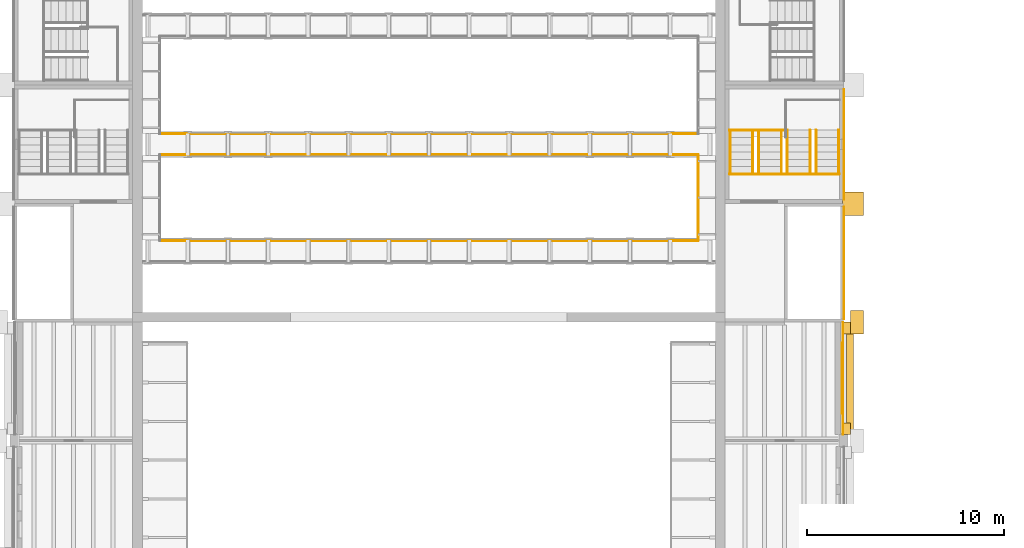
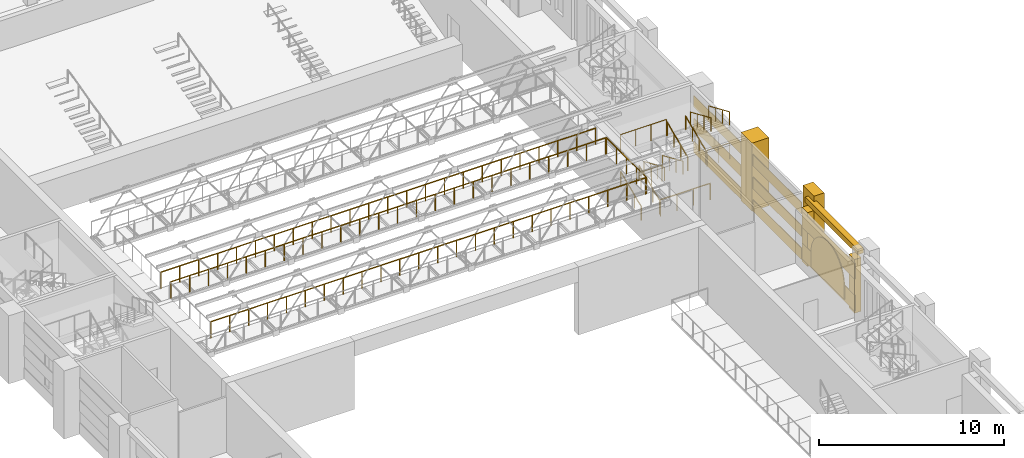
# One storey, part 58 of 70: 16 railings, 14 coverings.
"""IFC4 building model written with IfcOpenShell, lengths in metres."""

from ifc_helpers import new_model, si_unit, direction, frame, origin, origin_2d, place, context, subcontext, project, spatial, polyline, rectangle, circle, outline, extrude, material, layer, layer_set, type_object, element, save


model = new_model("IFC4")

# Units and contexts
model_context = context("Model", 3, precision=1e-05, world=origin(), true_north=direction((0.0, 1.0)))
body_context = subcontext(model_context, "Body", "Model", "MODEL_VIEW")
ifc_project = project(units=[si_unit("LENGTHUNIT", "METRE"), si_unit("AREAUNIT", "SQUARE_METRE"), si_unit("VOLUMEUNIT", "CUBIC_METRE"), si_unit("PLANEANGLEUNIT", "RADIAN"), si_unit("MASSUNIT", "GRAM", prefix="KILO")], contexts=[model_context])

# Site, building, storey
site_placement = place(None, origin())
site = spatial("IfcSite", under=ifc_project, at=site_placement, CompositionType="ELEMENT")
building_placement = place(site_placement, origin())
building = spatial("IfcBuilding", under=site, at=building_placement, Name="Saffron Lane Theatres", CompositionType="ELEMENT")
storey_placement = place(building_placement, frame((0.0, 0.0, 12.0)))
storey = spatial("IfcBuildingStorey", under=building, at=storey_placement, Name="L02", CompositionType="ELEMENT", Elevation=12.0)

# Coverings
ifc_material_1 = material(Name="Masonry pale clay brick", Category="masonry")
ifc_layer_1 = layer(ifc_material_1, 0.050048828125)
ifc_layer_set_1 = layer_set([ifc_layer_1], Name="Masonry pale clay brick")
covering_type_1 = type_object("IfcCoveringType", Name="EX-ARCH PANEL BRICK 50", PredefinedType="CLADDING", material=ifc_layer_set_1)
covering_1_placement = place(storey_placement, frame((53.89990234375, 52.949951171875, 1.199951171875), z_axis=(-1.0, 0.0, 0.0), x_axis=(0.0, 0.0, -1.0)))
element("IfcCovering", 1, at=covering_1_placement, inside=storey, type_object=covering_type_1, Name="Blind arch panel 17", PredefinedType="CLADDING", context=body_context, shape_type="SweptSolid", body=[
    extrude(outline(polyline([(0.0, 0.0), (0.89990234375, 0.0), (0.89990234375, 3.599853515625), (0.0, 3.599853515625), (-0.28515625, 3.577880859375), (-0.56201171875, 3.512939453125), (-0.8271484375, 3.405029296875), (-1.071044921875, 3.258056640625), (-1.291015625, 3.075927734375), (-1.47900390625, 2.862060546875), (-1.633056640625, 2.620849609375), (-1.7470703125, 2.35986328125), (-1.820068359375, 2.083984375), (-1.85009765625, 1.800048828125), (-1.820068359375, 1.515869140625), (-1.7470703125, 1.239990234375), (-1.633056640625, 0.97900390625), (-1.47900390625, 0.738037109375), (-1.291015625, 0.52392578125), (-1.071044921875, 0.342041015625), (-0.8271484375, 0.195068359375), (-0.56201171875, 0.0869140625), (-0.28515625, 0.02197265625), (0.0, 0.0)])), origin(), (0.0, 0.0, -1.0), 0.050048828125),
])
ifc_material_2 = material(Name="Masonry sandstone", Category="masonry")
ifc_layer_2 = layer(ifc_material_2, 0.0400390625)
ifc_layer_set_2 = layer_set([ifc_layer_2], Name="Masonry sandstone")
covering_type_2 = type_object("IfcCoveringType", Name="EX-BANDING COURSE SANDSTONE 40", PredefinedType="CLADDING", material=ifc_layer_set_2)
for number, where, z_axis, x_axis, name in (
    (2, (54.02001953125, 63.0, 0.0), (0.0, 0.0, 1.0), (0.0, 1.0, 0.0), "Banding course L02"),
    (3, (54.02001953125, 63.0, 1.5), (0.0, 0.0, 1.0), (0.0, 1.0, 0.0), "Banding course L02"),
    (4, (54.02001953125, 63.0, 3.0), (0.0, 0.0, 1.0), (0.0, 1.0, 0.0), "Banding course L02"),
):
    element("IfcCovering", number, at=place(storey_placement, frame(where, z_axis=z_axis, x_axis=x_axis)), inside=storey, type_object=covering_type_2, Name=name, PredefinedType="CLADDING", context=body_context, shape_type="SweptSolid", body=[
        extrude(rectangle(XDim=5.60009765625, YDim=0.0400390625, at=origin_2d()), origin(), (0.0, 0.0, 1.0), 0.75),
    ])
for number, where, z_axis, x_axis, name in (
    (5, (54.02001953125, 57.0, 0.0), (0.0, 0.0, 1.0), (0.0, 1.0, 0.0), "Banding course L02"),
    (6, (54.02001953125, 57.0, 1.5), (0.0, 0.0, 1.0), (0.0, 1.0, 0.0), "Banding course L02"),
    (7, (54.02001953125, 57.0, 3.0), (0.0, 0.0, 1.0), (0.0, 1.0, 0.0), "Banding course L02"),
):
    element("IfcCovering", number, at=place(storey_placement, frame(where, z_axis=z_axis, x_axis=x_axis)), inside=storey, type_object=covering_type_2, Name=name, PredefinedType="CLADDING", context=body_context, shape_type="SweptSolid", body=[
        extrude(rectangle(XDim=5.699951171875, YDim=0.0400390625, at=origin_2d()), origin(), (0.0, 0.0, 1.0), 0.75),
    ])
ifc_material_3 = material(Name="Face brick cladding, pale buff", Category="masonry")
ifc_layer_3 = layer(ifc_material_3, 0.0400390625)
ifc_layer_set_3 = layer_set([ifc_layer_3], Name="Face brick cladding, pale buff")
covering_type_3 = type_object("IfcCoveringType", Name="EX-FACE BRICK CLADDING PALE BUFF 40", PredefinedType="CLADDING", material=ifc_layer_set_3)
for number, where, z_axis, x_axis, name in (
    (8, (53.969970703125, 51.14990234375, 0.14990234375), (0.0, 0.0, 1.0), (0.0, -1.0, 0.0), "Cladding course L02"),
    (9, (53.969970703125, 51.14990234375, 2.25), (0.0, 0.0, 1.0), (0.0, -1.0, 0.0), "Cladding course L02"),
):
    element("IfcCovering", number, at=place(storey_placement, frame(where, z_axis=z_axis, x_axis=x_axis)), inside=storey, type_object=covering_type_3, Name=name, PredefinedType="CLADDING", context=body_context, shape_type="SweptSolid", body=[
        extrude(rectangle(XDim=5.699951171875, YDim=0.0400390625, at=origin_2d()), origin(), (0.0, 0.0, 1.0), 1.050048828125),
    ])
ifc_material_4 = material(Name="Masonry sandstone", Category="masonry")
ifc_layer_4 = layer(ifc_material_4, 1.199951171875)
ifc_layer_set_4 = layer_set([ifc_layer_4], Name="Masonry sandstone")
covering_type_4 = type_object("IfcCoveringType", Name="EX-FLANK BUTTRESS PIER SANDSTONE 1200", PredefinedType="CLADDING", material=ifc_layer_set_4)
covering_2_placement = place(storey_placement, frame((54.675048828125, 54.0, 0.0), z_axis=(0.0, 0.0, 1.0), x_axis=(0.0, 1.0, 0.0)))
element("IfcCovering", 10, at=covering_2_placement, inside=storey, type_object=covering_type_4, Name="Flank buttress east L02", PredefinedType="CLADDING", context=body_context, shape_type="SweptSolid", body=[
    extrude(rectangle(XDim=1.199951171875, YDim=0.64990234375, at=origin_2d()), origin(), (0.0, 0.0, 1.0), 4.5),
])
covering_3_placement = place(storey_placement, frame((54.47509765625, 60.0, 0.0), z_axis=(0.0, 0.0, 1.0), x_axis=(0.0, 1.0, 0.0)))
element("IfcCovering", 11, at=covering_3_placement, inside=storey, type_object=covering_type_4, Name="Flank buttress east L02", PredefinedType="CLADDING", context=body_context, shape_type="SweptSolid", body=[
    extrude(rectangle(XDim=1.199951171875, YDim=1.050048828125, at=origin_2d()), origin(), (0.0, 0.0, 1.0), 4.5),
])
ifc_material_5 = material(Name="Masonry sandstone", Category="masonry")
ifc_layer_5 = layer(ifc_material_5, 0.39990234375)
ifc_layer_set_5 = layer_set([ifc_layer_5], Name="Masonry sandstone")
covering_type_5 = type_object("IfcCoveringType", Name="EX-PILASTER PIER SANDSTONE 400", PredefinedType="CLADDING", material=ifc_layer_set_5)
for number, where, z_axis, x_axis, name in (
    (12, (54.14990234375, 53.699951171875, 0.0), (0.0, 0.0, 1.0), (0.0, -1.0, 0.0), "Pilaster pier L02"),
    (13, (54.14990234375, 48.60009765625, 0.0), (0.0, 0.0, 1.0), (0.0, -1.0, 0.0), "Pilaster pier L02"),
):
    element("IfcCovering", number, at=place(storey_placement, frame(where, z_axis=z_axis, x_axis=x_axis)), inside=storey, type_object=covering_type_5, Name=name, PredefinedType="CLADDING", context=body_context, shape_type="SweptSolid", body=[
        extrude(rectangle(XDim=0.60009765625, YDim=0.39990234375, at=origin_2d()), origin(), (0.0, 0.0, 1.0), 3.550048828125),
    ])
ifc_material_6 = material(Name="Masonry sandstone", Category="masonry")
ifc_layer_6 = layer(ifc_material_6, 0.300048828125)
ifc_layer_set_6 = layer_set([ifc_layer_6], Name="Masonry sandstone")
covering_type_6 = type_object("IfcCoveringType", Name="EX-STRING COURSE SANDSTONE 350", PredefinedType="CLADDING", material=ifc_layer_set_6)
covering_4_placement = place(storey_placement, frame((54.324951171875, 51.14990234375, 3.800048828125), z_axis=(0.0, 0.0, 1.0), x_axis=(0.0, -1.0, 0.0)))
element("IfcCovering", 14, at=covering_4_placement, inside=storey, type_object=covering_type_6, Name="String course L02", PredefinedType="CLADDING", context=body_context, shape_type="SweptSolid", body=[
    extrude(rectangle(XDim=5.699951171875, YDim=0.35009765625, at=origin_2d()), origin(), (0.0, 0.0, 1.0), 0.35009765625),
])

# Railings
ifc_material_7 = material(Name="Steel Grade 350", Category="steel")
railing_type_1 = type_object("IfcRailingType", Name="VC-GUARD 1100", PredefinedType="GUARDRAIL", material=ifc_material_7)
railing_1_placement = place(storey_placement, frame((48.22998046875, 63.719970703125, 3.375)))
element("IfcRailing", 15, at=railing_1_placement, inside=storey, type_object=railing_type_1, Name="Auditorium East Front Stair landing guard 3N2s", PredefinedType="GUARDRAIL", context=body_context, shape_type="SweptSolid", body=[
    extrude(circle(Radius=0.02392578125, at=origin_2d()), frame((0.0, 0.0, 1.076171875), z_axis=(1.0, 0.0, 0.0), x_axis=(0.0, 1.0, 0.0)), (0.0, 0.0, 1.0), 2.8701171875),
    extrude(circle(Radius=0.02099609375, at=origin_2d()), origin(), (0.0, 0.0, 1.0), 1.052001953125),
    extrude(circle(Radius=0.02099609375, at=origin_2d()), frame((0.956787109375, 0.0, 0.0)), (0.0, 0.0, 1.0), 1.052001953125),
    extrude(circle(Radius=0.02099609375, at=origin_2d()), frame((1.913330078125, 0.0, 0.0)), (0.0, 0.0, 1.0), 1.052001953125),
    extrude(circle(Radius=0.02099609375, at=origin_2d()), frame((2.8701171875, 0.0, 0.0)), (0.0, 0.0, 1.0), 1.052001953125),
])
railing_2_placement = place(storey_placement, frame((48.22998046875, 61.5, 2.25)))
element("IfcRailing", 16, at=railing_2_placement, inside=storey, type_object=railing_type_1, Name="Auditorium East Front Stair landing guard 3S2w", PredefinedType="GUARDRAIL", context=body_context, shape_type="SweptSolid", body=[
    extrude(circle(Radius=0.02392578125, at=origin_2d()), frame((0.0, 0.0, 1.076171875), z_axis=(1.0, 0.0, 0.0), x_axis=(0.0, 1.0, 0.0)), (0.0, 0.0, 1.0), 1.320068359375),
    extrude(circle(Radius=0.02099609375, at=origin_2d()), origin(), (0.0, 0.0, 1.0), 1.052001953125),
    extrude(circle(Radius=0.02099609375, at=origin_2d()), frame((0.66015625, 0.0, 0.0)), (0.0, 0.0, 1.0), 1.052001953125),
    extrude(circle(Radius=0.02099609375, at=origin_2d()), frame((1.320068359375, 0.0, 0.0)), (0.0, 0.0, 1.0), 1.052001953125),
])
railing_3_placement = place(storey_placement, frame((52.35009765625, 61.5, 2.25)))
element("IfcRailing", 17, at=railing_3_placement, inside=storey, type_object=railing_type_1, Name="Auditorium East Front Stair landing guard 3S2e", PredefinedType="GUARDRAIL", context=body_context, shape_type="SweptSolid", body=[
    extrude(circle(Radius=0.02392578125, at=origin_2d()), frame((0.0, 0.0, 1.076171875), z_axis=(1.0, 0.0, 0.0), x_axis=(0.0, 1.0, 0.0)), (0.0, 0.0, 1.0), 1.419921875),
    extrude(circle(Radius=0.02099609375, at=origin_2d()), origin(), (0.0, 0.0, 1.0), 1.052001953125),
    extrude(circle(Radius=0.02099609375, at=origin_2d()), frame((0.7099609375, 0.0, 0.0)), (0.0, 0.0, 1.0), 1.052001953125),
    extrude(circle(Radius=0.02099609375, at=origin_2d()), frame((1.419921875, 0.0, 0.0)), (0.0, 0.0, 1.0), 1.052001953125),
])
railing_4_placement = place(storey_placement, frame((49.449951171875, 61.5, 0.0)))
element("IfcRailing", 18, at=railing_4_placement, inside=storey, type_object=railing_type_1, Name="Auditorium East Front Stair guard L02", PredefinedType="GUARDRAIL", context=body_context, shape_type="SweptSolid", body=[
    extrude(circle(Radius=0.02392578125, at=origin_2d()), frame((0.0, 0.0, 1.076171875), z_axis=(1.0, 0.0, 0.0), x_axis=(0.0, 1.0, 0.0)), (0.0, 0.0, 1.0), 3.10009765625),
    extrude(circle(Radius=0.02099609375, at=origin_2d()), origin(), (0.0, 0.0, 1.0), 1.052001953125),
    extrude(circle(Radius=0.02099609375, at=origin_2d()), frame((1.033447265625, 0.0, 0.0)), (0.0, 0.0, 1.0), 1.052001953125),
    extrude(circle(Radius=0.02099609375, at=origin_2d()), frame((2.066650390625, 0.0, 0.0)), (0.0, 0.0, 1.0), 1.052001953125),
    extrude(circle(Radius=0.02099609375, at=origin_2d()), frame((3.10009765625, 0.0, 0.0)), (0.0, 0.0, 1.0), 1.052001953125),
])
ifc_material_8 = material(Name="Steel Grade 350", Category="steel")
railing_type_2 = type_object("IfcRailingType", Name="VC-HANDRAIL 900", PredefinedType="HANDRAIL", material=ifc_material_8)
for number, where, name in (
    (19, (48.25, 61.5, 0.16064453125), "Auditorium East Front Stair handrail 3.1a"),
    (20, (49.39990234375, 61.5, 0.16064453125), "Auditorium East Front Stair handrail 3.1b"),
):
    element("IfcRailing", number, at=place(storey_placement, frame(where)), inside=storey, type_object=railing_type_2, Name=name, PredefinedType="HANDRAIL", context=body_context, shape_type="SweptSolid", body=[
        extrude(circle(Radius=0.02392578125, at=origin_2d()), frame((0.0, 0.0, 0.8759765625), z_axis=(0.0, 0.917161435653, 0.398515872898), x_axis=(-1.0, 0.0, 0.0)), (0.0, 0.0, 1.0), 0.806884765625),
        extrude(circle(Radius=0.02392578125, at=origin_2d()), frame((0.0, 0.739990234375, 1.197265625), z_axis=(0.0, 0.917272012673, 0.398261289567), x_axis=(-1.0, 0.0, 0.0)), (0.0, 0.0, 1.0), 0.806640625),
        extrude(circle(Radius=0.02392578125, at=origin_2d()), frame((0.0, 1.47998046875, 1.5185546875), z_axis=(0.0, 0.917161435653, 0.398515872898), x_axis=(-1.0, 0.0, 0.0)), (0.0, 0.0, 1.0), 0.806884765625),
        extrude(circle(Radius=0.02099609375, at=origin_2d()), origin(), (0.0, 0.0, 1.0), 0.851806640625),
        extrude(circle(Radius=0.02099609375, at=origin_2d()), frame((0.0, 0.739990234375, 0.321533203125)), (0.0, 0.0, 1.0), 0.851806640625),
        extrude(circle(Radius=0.02099609375, at=origin_2d()), frame((0.0, 1.47998046875, 0.642822265625)), (0.0, 0.0, 1.0), 0.851806640625),
        extrude(circle(Radius=0.02099609375, at=origin_2d()), frame((0.0, 2.219970703125, 0.96435546875)), (0.0, 0.0, 1.0), 0.851806640625),
    ])
for number, where, name in (
    (21, (49.699951171875, 63.719970703125, 1.28564453125), "Auditorium East Front Stair handrail 3.2a"),
    (22, (50.85009765625, 63.719970703125, 1.28564453125), "Auditorium East Front Stair handrail 3.2b"),
):
    element("IfcRailing", number, at=place(storey_placement, frame(where)), inside=storey, type_object=railing_type_2, Name=name, PredefinedType="HANDRAIL", context=body_context, shape_type="SweptSolid", body=[
        extrude(circle(Radius=0.02392578125, at=origin_2d()), frame((0.0, 0.0, 0.8759765625), z_axis=(0.0, -0.917161435653, 0.398515872898), x_axis=(1.0, 0.0, 0.0)), (0.0, 0.0, 1.0), 0.806884765625),
        extrude(circle(Radius=0.02392578125, at=origin_2d()), frame((0.0, -0.739990234375, 1.197265625), z_axis=(0.0, -0.917272012673, 0.398261289567), x_axis=(1.0, 0.0, 0.0)), (0.0, 0.0, 1.0), 0.806640625),
        extrude(circle(Radius=0.02392578125, at=origin_2d()), frame((0.0, -1.47998046875, 1.5185546875), z_axis=(0.0, -0.917161435653, 0.398515872898), x_axis=(1.0, 0.0, 0.0)), (0.0, 0.0, 1.0), 0.806884765625),
        extrude(circle(Radius=0.02099609375, at=origin_2d()), origin(), (0.0, 0.0, 1.0), 0.851806640625),
        extrude(circle(Radius=0.02099609375, at=origin_2d()), frame((0.0, -0.739990234375, 0.321533203125)), (0.0, 0.0, 1.0), 0.851806640625),
        extrude(circle(Radius=0.02099609375, at=origin_2d()), frame((0.0, -1.47998046875, 0.642822265625)), (0.0, 0.0, 1.0), 0.851806640625),
        extrude(circle(Radius=0.02099609375, at=origin_2d()), frame((0.0, -2.219970703125, 0.96435546875)), (0.0, 0.0, 1.0), 0.851806640625),
    ])
for number, where, name in (
    (23, (51.14990234375, 61.5, 2.41064453125), "Auditorium East Front Stair handrail 3.3a"),
    (24, (52.300048828125, 61.5, 2.41064453125), "Auditorium East Front Stair handrail 3.3b"),
):
    element("IfcRailing", number, at=place(storey_placement, frame(where)), inside=storey, type_object=railing_type_2, Name=name, PredefinedType="HANDRAIL", context=body_context, shape_type="SweptSolid", body=[
        extrude(circle(Radius=0.02392578125, at=origin_2d()), frame((0.0, 0.0, 0.8759765625), z_axis=(0.0, 0.917161435653, 0.398515872898), x_axis=(-1.0, 0.0, 0.0)), (0.0, 0.0, 1.0), 0.806884765625),
        extrude(circle(Radius=0.02392578125, at=origin_2d()), frame((0.0, 0.739990234375, 1.197265625), z_axis=(0.0, 0.917272012673, 0.398261289567), x_axis=(-1.0, 0.0, 0.0)), (0.0, 0.0, 1.0), 0.806640625),
        extrude(circle(Radius=0.02392578125, at=origin_2d()), frame((0.0, 1.47998046875, 1.5185546875), z_axis=(0.0, 0.917161435653, 0.398515872898), x_axis=(-1.0, 0.0, 0.0)), (0.0, 0.0, 1.0), 0.806884765625),
        extrude(circle(Radius=0.02099609375, at=origin_2d()), origin(), (0.0, 0.0, 1.0), 0.851806640625),
        extrude(circle(Radius=0.02099609375, at=origin_2d()), frame((0.0, 0.739990234375, 0.321533203125)), (0.0, 0.0, 1.0), 0.851806640625),
        extrude(circle(Radius=0.02099609375, at=origin_2d()), frame((0.0, 1.47998046875, 0.642822265625)), (0.0, 0.0, 1.0), 0.851806640625),
        extrude(circle(Radius=0.02099609375, at=origin_2d()), frame((0.0, 2.219970703125, 0.96435546875)), (0.0, 0.0, 1.0), 0.851806640625),
    ])
for number, where, name in (
    (25, (52.60009765625, 63.719970703125, 3.53564453125), "Auditorium East Front Stair handrail 3.4a"),
    (26, (53.75, 63.719970703125, 3.53564453125), "Auditorium East Front Stair handrail 3.4b"),
):
    element("IfcRailing", number, at=place(storey_placement, frame(where)), inside=storey, type_object=railing_type_2, Name=name, PredefinedType="HANDRAIL", context=body_context, shape_type="SweptSolid", body=[
        extrude(circle(Radius=0.02392578125, at=origin_2d()), frame((0.0, 0.0, 0.8759765625), z_axis=(0.0, -0.917161435653, 0.398515872898), x_axis=(1.0, 0.0, 0.0)), (0.0, 0.0, 1.0), 0.806884765625),
        extrude(circle(Radius=0.02392578125, at=origin_2d()), frame((0.0, -0.739990234375, 1.197265625), z_axis=(0.0, -0.917272012673, 0.398261289567), x_axis=(1.0, 0.0, 0.0)), (0.0, 0.0, 1.0), 0.806640625),
        extrude(circle(Radius=0.02392578125, at=origin_2d()), frame((0.0, -1.47998046875, 1.5185546875), z_axis=(0.0, -0.917161435653, 0.398515872898), x_axis=(1.0, 0.0, 0.0)), (0.0, 0.0, 1.0), 0.806884765625),
        extrude(circle(Radius=0.02099609375, at=origin_2d()), origin(), (0.0, 0.0, 1.0), 0.851806640625),
        extrude(circle(Radius=0.02099609375, at=origin_2d()), frame((0.0, -0.739990234375, 0.321533203125)), (0.0, 0.0, 1.0), 0.851806640625),
        extrude(circle(Radius=0.02099609375, at=origin_2d()), frame((0.0, -1.47998046875, 0.642822265625)), (0.0, 0.0, 1.0), 0.851806640625),
        extrude(circle(Radius=0.02099609375, at=origin_2d()), frame((0.0, -2.219970703125, 0.96435546875)), (0.0, 0.0, 1.0), 0.851806640625),
    ])
railing_5_placement = place(storey_placement, frame((19.429931640625, 58.1298828125, 4.5)))
element("IfcRailing", 27, at=railing_5_placement, inside=storey, Name="LR1b", PredefinedType="GUARDRAIL", context=body_context, shape_type="SweptSolid", body=[
    extrude(circle(Radius=0.02392578125, at=origin_2d()), frame((0.0, 0.0, 1.076171875), z_axis=(1.0, 0.0, 0.0), x_axis=(0.0, 1.0, 0.0)), (0.0, 0.0, 1.0), 27.14013671875),
    extrude(circle(Radius=0.02099609375, at=origin_2d()), origin(), (0.0, 0.0, 1.0), 1.052001953125),
    extrude(circle(Radius=0.02099609375, at=origin_2d()), frame((1.179931640625, 0.0, 0.0)), (0.0, 0.0, 1.0), 1.052001953125),
    extrude(circle(Radius=0.02099609375, at=origin_2d()), frame((2.360107421875, 0.0, 0.0)), (0.0, 0.0, 1.0), 1.052001953125),
    extrude(circle(Radius=0.02099609375, at=origin_2d()), frame((3.5400390625, 0.0, 0.0)), (0.0, 0.0, 1.0), 1.052001953125),
    extrude(circle(Radius=0.02099609375, at=origin_2d()), frame((4.719970703125, 0.0, 0.0)), (0.0, 0.0, 1.0), 1.052001953125),
    extrude(circle(Radius=0.02099609375, at=origin_2d()), frame((5.900146484375, 0.0, 0.0)), (0.0, 0.0, 1.0), 1.052001953125),
    extrude(circle(Radius=0.02099609375, at=origin_2d()), frame((7.080078125, 0.0, 0.0)), (0.0, 0.0, 1.0), 1.052001953125),
    extrude(circle(Radius=0.02099609375, at=origin_2d()), frame((8.260009765625, 0.0, 0.0)), (0.0, 0.0, 1.0), 1.052001953125),
    extrude(circle(Radius=0.02099609375, at=origin_2d()), frame((9.43994140625, 0.0, 0.0)), (0.0, 0.0, 1.0), 1.052001953125),
    extrude(circle(Radius=0.02099609375, at=origin_2d()), frame((10.6201171875, 0.0, 0.0)), (0.0, 0.0, 1.0), 1.052001953125),
    extrude(circle(Radius=0.02099609375, at=origin_2d()), frame((11.800048828125, 0.0, 0.0)), (0.0, 0.0, 1.0), 1.052001953125),
    extrude(circle(Radius=0.02099609375, at=origin_2d()), frame((12.97998046875, 0.0, 0.0)), (0.0, 0.0, 1.0), 1.052001953125),
    extrude(circle(Radius=0.02099609375, at=origin_2d()), frame((14.16015625, 0.0, 0.0)), (0.0, 0.0, 1.0), 1.052001953125),
    extrude(circle(Radius=0.02099609375, at=origin_2d()), frame((15.340087890625, 0.0, 0.0)), (0.0, 0.0, 1.0), 1.052001953125),
    extrude(circle(Radius=0.02099609375, at=origin_2d()), frame((16.52001953125, 0.0, 0.0)), (0.0, 0.0, 1.0), 1.052001953125),
    extrude(circle(Radius=0.02099609375, at=origin_2d()), frame((17.7001953125, 0.0, 0.0)), (0.0, 0.0, 1.0), 1.052001953125),
    extrude(circle(Radius=0.02099609375, at=origin_2d()), frame((18.880126953125, 0.0, 0.0)), (0.0, 0.0, 1.0), 1.052001953125),
    extrude(circle(Radius=0.02099609375, at=origin_2d()), frame((20.06005859375, 0.0, 0.0)), (0.0, 0.0, 1.0), 1.052001953125),
    extrude(circle(Radius=0.02099609375, at=origin_2d()), frame((21.239990234375, 0.0, 0.0)), (0.0, 0.0, 1.0), 1.052001953125),
    extrude(circle(Radius=0.02099609375, at=origin_2d()), frame((22.420166015625, 0.0, 0.0)), (0.0, 0.0, 1.0), 1.052001953125),
    extrude(circle(Radius=0.02099609375, at=origin_2d()), frame((23.60009765625, 0.0, 0.0)), (0.0, 0.0, 1.0), 1.052001953125),
    extrude(circle(Radius=0.02099609375, at=origin_2d()), frame((24.780029296875, 0.0, 0.0)), (0.0, 0.0, 1.0), 1.052001953125),
    extrude(circle(Radius=0.02099609375, at=origin_2d()), frame((25.960205078125, 0.0, 0.0)), (0.0, 0.0, 1.0), 1.052001953125),
    extrude(circle(Radius=0.02099609375, at=origin_2d()), frame((27.14013671875, 0.0, 0.0)), (0.0, 0.0, 1.0), 1.052001953125),
])
railing_6_placement = place(storey_placement, frame((19.429931640625, 62.469970703125, 4.5)))
element("IfcRailing", 28, at=railing_6_placement, inside=storey, Name="LR2a", PredefinedType="GUARDRAIL", context=body_context, shape_type="SweptSolid", body=[
    extrude(circle(Radius=0.02392578125, at=origin_2d()), frame((0.0, 0.0, 1.076171875), z_axis=(1.0, 0.0, 0.0), x_axis=(0.0, 1.0, 0.0)), (0.0, 0.0, 1.0), 27.14013671875),
    extrude(circle(Radius=0.02099609375, at=origin_2d()), origin(), (0.0, 0.0, 1.0), 1.052001953125),
    extrude(circle(Radius=0.02099609375, at=origin_2d()), frame((1.179931640625, 0.0, 0.0)), (0.0, 0.0, 1.0), 1.052001953125),
    extrude(circle(Radius=0.02099609375, at=origin_2d()), frame((2.360107421875, 0.0, 0.0)), (0.0, 0.0, 1.0), 1.052001953125),
    extrude(circle(Radius=0.02099609375, at=origin_2d()), frame((3.5400390625, 0.0, 0.0)), (0.0, 0.0, 1.0), 1.052001953125),
    extrude(circle(Radius=0.02099609375, at=origin_2d()), frame((4.719970703125, 0.0, 0.0)), (0.0, 0.0, 1.0), 1.052001953125),
    extrude(circle(Radius=0.02099609375, at=origin_2d()), frame((5.900146484375, 0.0, 0.0)), (0.0, 0.0, 1.0), 1.052001953125),
    extrude(circle(Radius=0.02099609375, at=origin_2d()), frame((7.080078125, 0.0, 0.0)), (0.0, 0.0, 1.0), 1.052001953125),
    extrude(circle(Radius=0.02099609375, at=origin_2d()), frame((8.260009765625, 0.0, 0.0)), (0.0, 0.0, 1.0), 1.052001953125),
    extrude(circle(Radius=0.02099609375, at=origin_2d()), frame((9.43994140625, 0.0, 0.0)), (0.0, 0.0, 1.0), 1.052001953125),
    extrude(circle(Radius=0.02099609375, at=origin_2d()), frame((10.6201171875, 0.0, 0.0)), (0.0, 0.0, 1.0), 1.052001953125),
    extrude(circle(Radius=0.02099609375, at=origin_2d()), frame((11.800048828125, 0.0, 0.0)), (0.0, 0.0, 1.0), 1.052001953125),
    extrude(circle(Radius=0.02099609375, at=origin_2d()), frame((12.97998046875, 0.0, 0.0)), (0.0, 0.0, 1.0), 1.052001953125),
    extrude(circle(Radius=0.02099609375, at=origin_2d()), frame((14.16015625, 0.0, 0.0)), (0.0, 0.0, 1.0), 1.052001953125),
    extrude(circle(Radius=0.02099609375, at=origin_2d()), frame((15.340087890625, 0.0, 0.0)), (0.0, 0.0, 1.0), 1.052001953125),
    extrude(circle(Radius=0.02099609375, at=origin_2d()), frame((16.52001953125, 0.0, 0.0)), (0.0, 0.0, 1.0), 1.052001953125),
    extrude(circle(Radius=0.02099609375, at=origin_2d()), frame((17.7001953125, 0.0, 0.0)), (0.0, 0.0, 1.0), 1.052001953125),
    extrude(circle(Radius=0.02099609375, at=origin_2d()), frame((18.880126953125, 0.0, 0.0)), (0.0, 0.0, 1.0), 1.052001953125),
    extrude(circle(Radius=0.02099609375, at=origin_2d()), frame((20.06005859375, 0.0, 0.0)), (0.0, 0.0, 1.0), 1.052001953125),
    extrude(circle(Radius=0.02099609375, at=origin_2d()), frame((21.239990234375, 0.0, 0.0)), (0.0, 0.0, 1.0), 1.052001953125),
    extrude(circle(Radius=0.02099609375, at=origin_2d()), frame((22.420166015625, 0.0, 0.0)), (0.0, 0.0, 1.0), 1.052001953125),
    extrude(circle(Radius=0.02099609375, at=origin_2d()), frame((23.60009765625, 0.0, 0.0)), (0.0, 0.0, 1.0), 1.052001953125),
    extrude(circle(Radius=0.02099609375, at=origin_2d()), frame((24.780029296875, 0.0, 0.0)), (0.0, 0.0, 1.0), 1.052001953125),
    extrude(circle(Radius=0.02099609375, at=origin_2d()), frame((25.960205078125, 0.0, 0.0)), (0.0, 0.0, 1.0), 1.052001953125),
    extrude(circle(Radius=0.02099609375, at=origin_2d()), frame((27.14013671875, 0.0, 0.0)), (0.0, 0.0, 1.0), 1.052001953125),
])
railing_7_placement = place(storey_placement, frame((19.429931640625, 63.530029296875, 4.5)))
element("IfcRailing", 29, at=railing_7_placement, inside=storey, Name="LR2b", PredefinedType="GUARDRAIL", context=body_context, shape_type="SweptSolid", body=[
    extrude(circle(Radius=0.02392578125, at=origin_2d()), frame((0.0, 0.0, 1.076171875), z_axis=(1.0, 0.0, 0.0), x_axis=(0.0, 1.0, 0.0)), (0.0, 0.0, 1.0), 27.14013671875),
    extrude(circle(Radius=0.02099609375, at=origin_2d()), origin(), (0.0, 0.0, 1.0), 1.052001953125),
    extrude(circle(Radius=0.02099609375, at=origin_2d()), frame((1.179931640625, 0.0, 0.0)), (0.0, 0.0, 1.0), 1.052001953125),
    extrude(circle(Radius=0.02099609375, at=origin_2d()), frame((2.360107421875, 0.0, 0.0)), (0.0, 0.0, 1.0), 1.052001953125),
    extrude(circle(Radius=0.02099609375, at=origin_2d()), frame((3.5400390625, 0.0, 0.0)), (0.0, 0.0, 1.0), 1.052001953125),
    extrude(circle(Radius=0.02099609375, at=origin_2d()), frame((4.719970703125, 0.0, 0.0)), (0.0, 0.0, 1.0), 1.052001953125),
    extrude(circle(Radius=0.02099609375, at=origin_2d()), frame((5.900146484375, 0.0, 0.0)), (0.0, 0.0, 1.0), 1.052001953125),
    extrude(circle(Radius=0.02099609375, at=origin_2d()), frame((7.080078125, 0.0, 0.0)), (0.0, 0.0, 1.0), 1.052001953125),
    extrude(circle(Radius=0.02099609375, at=origin_2d()), frame((8.260009765625, 0.0, 0.0)), (0.0, 0.0, 1.0), 1.052001953125),
    extrude(circle(Radius=0.02099609375, at=origin_2d()), frame((9.43994140625, 0.0, 0.0)), (0.0, 0.0, 1.0), 1.052001953125),
    extrude(circle(Radius=0.02099609375, at=origin_2d()), frame((10.6201171875, 0.0, 0.0)), (0.0, 0.0, 1.0), 1.052001953125),
    extrude(circle(Radius=0.02099609375, at=origin_2d()), frame((11.800048828125, 0.0, 0.0)), (0.0, 0.0, 1.0), 1.052001953125),
    extrude(circle(Radius=0.02099609375, at=origin_2d()), frame((12.97998046875, 0.0, 0.0)), (0.0, 0.0, 1.0), 1.052001953125),
    extrude(circle(Radius=0.02099609375, at=origin_2d()), frame((14.16015625, 0.0, 0.0)), (0.0, 0.0, 1.0), 1.052001953125),
    extrude(circle(Radius=0.02099609375, at=origin_2d()), frame((15.340087890625, 0.0, 0.0)), (0.0, 0.0, 1.0), 1.052001953125),
    extrude(circle(Radius=0.02099609375, at=origin_2d()), frame((16.52001953125, 0.0, 0.0)), (0.0, 0.0, 1.0), 1.052001953125),
    extrude(circle(Radius=0.02099609375, at=origin_2d()), frame((17.7001953125, 0.0, 0.0)), (0.0, 0.0, 1.0), 1.052001953125),
    extrude(circle(Radius=0.02099609375, at=origin_2d()), frame((18.880126953125, 0.0, 0.0)), (0.0, 0.0, 1.0), 1.052001953125),
    extrude(circle(Radius=0.02099609375, at=origin_2d()), frame((20.06005859375, 0.0, 0.0)), (0.0, 0.0, 1.0), 1.052001953125),
    extrude(circle(Radius=0.02099609375, at=origin_2d()), frame((21.239990234375, 0.0, 0.0)), (0.0, 0.0, 1.0), 1.052001953125),
    extrude(circle(Radius=0.02099609375, at=origin_2d()), frame((22.420166015625, 0.0, 0.0)), (0.0, 0.0, 1.0), 1.052001953125),
    extrude(circle(Radius=0.02099609375, at=origin_2d()), frame((23.60009765625, 0.0, 0.0)), (0.0, 0.0, 1.0), 1.052001953125),
    extrude(circle(Radius=0.02099609375, at=origin_2d()), frame((24.780029296875, 0.0, 0.0)), (0.0, 0.0, 1.0), 1.052001953125),
    extrude(circle(Radius=0.02099609375, at=origin_2d()), frame((25.960205078125, 0.0, 0.0)), (0.0, 0.0, 1.0), 1.052001953125),
    extrude(circle(Radius=0.02099609375, at=origin_2d()), frame((27.14013671875, 0.0, 0.0)), (0.0, 0.0, 1.0), 1.052001953125),
])
railing_8_placement = place(storey_placement, frame((46.6298828125, 58.1298828125, 4.5)))
element("IfcRailing", 30, at=railing_8_placement, inside=storey, Name="CRE1", PredefinedType="GUARDRAIL", context=body_context, shape_type="SweptSolid", body=[
    extrude(circle(Radius=0.02392578125, at=origin_2d()), frame((0.0, 0.0, 1.076171875), z_axis=(0.0, 1.0, 0.0), x_axis=(-1.0, 0.0, 0.0)), (0.0, 0.0, 1.0), 4.340087890625),
    extrude(circle(Radius=0.02099609375, at=origin_2d()), origin(), (0.0, 0.0, 1.0), 1.052001953125),
    extrude(circle(Radius=0.02099609375, at=origin_2d()), frame((0.0, 1.0849609375, 0.0)), (0.0, 0.0, 1.0), 1.052001953125),
    extrude(circle(Radius=0.02099609375, at=origin_2d()), frame((0.0, 2.169921875, 0.0)), (0.0, 0.0, 1.0), 1.052001953125),
    extrude(circle(Radius=0.02099609375, at=origin_2d()), frame((0.0, 3.255126953125, 0.0)), (0.0, 0.0, 1.0), 1.052001953125),
    extrude(circle(Radius=0.02099609375, at=origin_2d()), frame((0.0, 4.340087890625, 0.0)), (0.0, 0.0, 1.0), 1.052001953125),
])

save(model, "model.ifc")
